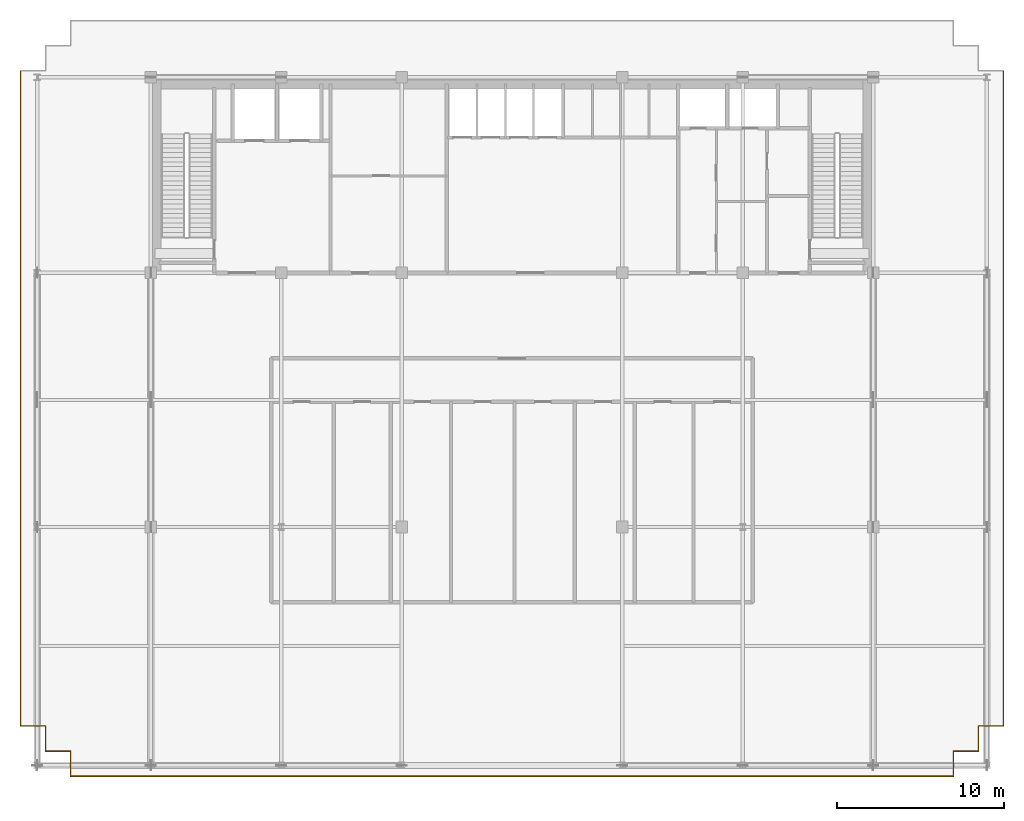
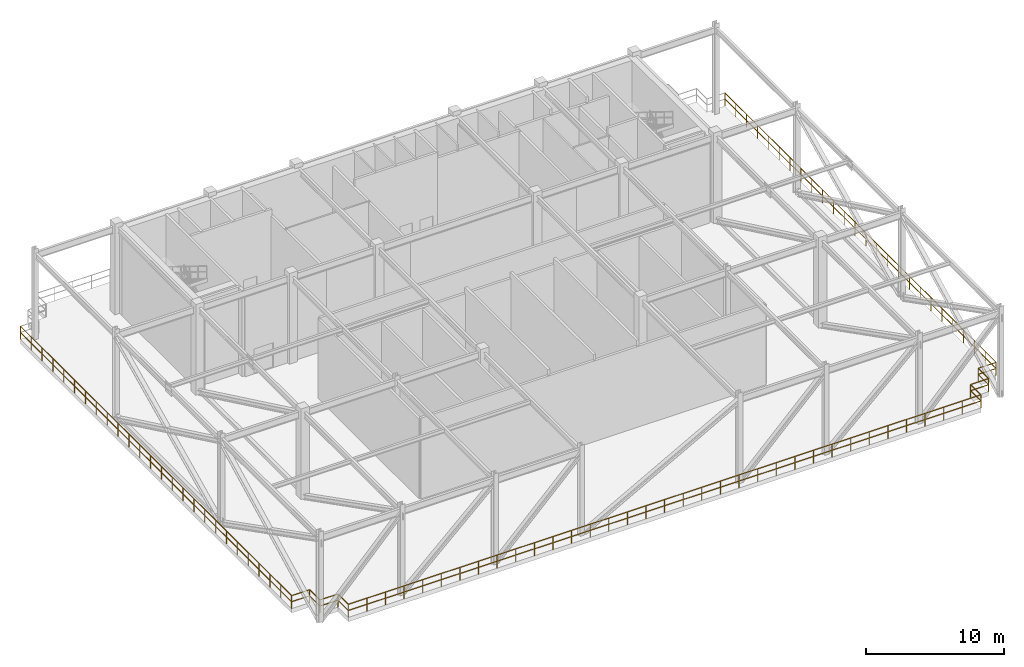
# One storey, part 11 of 14: 11 railings.
"""IFC4 building model written with IfcOpenShell, lengths in metres."""

from ifc_helpers import new_model, si_unit, direction, frame, origin, origin_2d, place, context, subcontext, project, spatial, rectangle, extrude, material, type_object, element, save


model = new_model("IFC4")

# Units and contexts
model_context = context("Model", 3, precision=1e-05, world=origin(), true_north=direction((0.0, 1.0)))
body_context = subcontext(model_context, "Body", "Model", "MODEL_VIEW")
ifc_project = project(units=[si_unit("LENGTHUNIT", "METRE"), si_unit("AREAUNIT", "SQUARE_METRE"), si_unit("VOLUMEUNIT", "CUBIC_METRE"), si_unit("PLANEANGLEUNIT", "RADIAN"), si_unit("MASSUNIT", "GRAM", prefix="KILO")], contexts=[model_context])

# Site, building, storey
site_placement = place(None, origin())
site = spatial("IfcSite", under=ifc_project, at=site_placement, CompositionType="ELEMENT")
building_placement = place(site_placement, origin())
building = spatial("IfcBuilding", under=site, at=building_placement, Name="Trelvane Seafront Commons", CompositionType="ELEMENT")
storey_placement = place(building_placement, frame((0.0, 0.0, 182.5)))
storey = spatial("IfcBuildingStorey", under=building, at=storey_placement, Name="L48", CompositionType="ELEMENT", Elevation=182.5)

# Railings
ifc_material = material(Name="Stainless steel balustrade", Category="steel")
railing_type = type_object("IfcRailingType", Name="ARCH-RAIL-BAL1150", PredefinedType="BALUSTRADE", material=ifc_material)
railing_1_placement = place(storey_placement, frame((10.800048828125, 3.300048828125, 0.0)))
element("IfcRailing", 1, at=railing_1_placement, inside=storey, type_object=railing_type, Name="RL-L48-PERIM-01", PredefinedType="BALUSTRADE", context=body_context, shape_type="SweptSolid", body=[
    extrude(rectangle(XDim=0.048095703125, YDim=0.048095703125, at=origin_2d()), frame((0.0, 0.0, 1.15576171875), z_axis=(1.0, 0.0, 0.0), x_axis=(0.0, 1.0, 0.0)), (0.0, 0.0, 1.0), 52.800048828125),
    extrude(rectangle(XDim=0.048095703125, YDim=0.048095703125, at=origin_2d()), frame((0.0, 0.0, 0.613525390625), z_axis=(1.0, 0.0, 0.0), x_axis=(0.0, 1.0, 0.0)), (0.0, 0.0, 1.0), 52.800048828125),
    extrude(rectangle(XDim=0.0419921875, YDim=0.0419921875, at=origin_2d()), origin(), (0.0, 0.0, 1.0), 1.15576171875),
    extrude(rectangle(XDim=0.0419921875, YDim=0.0419921875, at=origin_2d()), frame((1.552978515625, 0.0, 0.0)), (0.0, 0.0, 1.0), 1.15576171875),
    extrude(rectangle(XDim=0.0419921875, YDim=0.0419921875, at=origin_2d()), frame((3.10595703125, 0.0, 0.0)), (0.0, 0.0, 1.0), 1.15576171875),
    extrude(rectangle(XDim=0.0419921875, YDim=0.0419921875, at=origin_2d()), frame((4.658935546875, 0.0, 0.0)), (0.0, 0.0, 1.0), 1.15576171875),
    extrude(rectangle(XDim=0.0419921875, YDim=0.0419921875, at=origin_2d()), frame((6.211669921875, 0.0, 0.0)), (0.0, 0.0, 1.0), 1.15576171875),
    extrude(rectangle(XDim=0.0419921875, YDim=0.0419921875, at=origin_2d()), frame((7.7646484375, 0.0, 0.0)), (0.0, 0.0, 1.0), 1.15576171875),
    extrude(rectangle(XDim=0.0419921875, YDim=0.0419921875, at=origin_2d()), frame((9.317626953125, 0.0, 0.0)), (0.0, 0.0, 1.0), 1.15576171875),
    extrude(rectangle(XDim=0.0419921875, YDim=0.0419921875, at=origin_2d()), frame((10.87060546875, 0.0, 0.0)), (0.0, 0.0, 1.0), 1.15576171875),
    extrude(rectangle(XDim=0.0419921875, YDim=0.0419921875, at=origin_2d()), frame((12.423583984375, 0.0, 0.0)), (0.0, 0.0, 1.0), 1.15576171875),
    extrude(rectangle(XDim=0.0419921875, YDim=0.0419921875, at=origin_2d()), frame((13.9765625, 0.0, 0.0)), (0.0, 0.0, 1.0), 1.15576171875),
    extrude(rectangle(XDim=0.0419921875, YDim=0.0419921875, at=origin_2d()), frame((15.529541015625, 0.0, 0.0)), (0.0, 0.0, 1.0), 1.15576171875),
    extrude(rectangle(XDim=0.0419921875, YDim=0.0419921875, at=origin_2d()), frame((17.082275390625, 0.0, 0.0)), (0.0, 0.0, 1.0), 1.15576171875),
    extrude(rectangle(XDim=0.0419921875, YDim=0.0419921875, at=origin_2d()), frame((18.63525390625, 0.0, 0.0)), (0.0, 0.0, 1.0), 1.15576171875),
    extrude(rectangle(XDim=0.0419921875, YDim=0.0419921875, at=origin_2d()), frame((20.188232421875, 0.0, 0.0)), (0.0, 0.0, 1.0), 1.15576171875),
    extrude(rectangle(XDim=0.0419921875, YDim=0.0419921875, at=origin_2d()), frame((21.7412109375, 0.0, 0.0)), (0.0, 0.0, 1.0), 1.15576171875),
    extrude(rectangle(XDim=0.0419921875, YDim=0.0419921875, at=origin_2d()), frame((23.294189453125, 0.0, 0.0)), (0.0, 0.0, 1.0), 1.15576171875),
    extrude(rectangle(XDim=0.0419921875, YDim=0.0419921875, at=origin_2d()), frame((24.84716796875, 0.0, 0.0)), (0.0, 0.0, 1.0), 1.15576171875),
    extrude(rectangle(XDim=0.0419921875, YDim=0.0419921875, at=origin_2d()), frame((26.39990234375, 0.0, 0.0)), (0.0, 0.0, 1.0), 1.15576171875),
    extrude(rectangle(XDim=0.0419921875, YDim=0.0419921875, at=origin_2d()), frame((27.952880859375, 0.0, 0.0)), (0.0, 0.0, 1.0), 1.15576171875),
    extrude(rectangle(XDim=0.0419921875, YDim=0.0419921875, at=origin_2d()), frame((29.505859375, 0.0, 0.0)), (0.0, 0.0, 1.0), 1.15576171875),
    extrude(rectangle(XDim=0.0419921875, YDim=0.0419921875, at=origin_2d()), frame((31.058837890625, 0.0, 0.0)), (0.0, 0.0, 1.0), 1.15576171875),
    extrude(rectangle(XDim=0.0419921875, YDim=0.0419921875, at=origin_2d()), frame((32.61181640625, 0.0, 0.0)), (0.0, 0.0, 1.0), 1.15576171875),
    extrude(rectangle(XDim=0.0419921875, YDim=0.0419921875, at=origin_2d()), frame((34.164794921875, 0.0, 0.0)), (0.0, 0.0, 1.0), 1.15576171875),
    extrude(rectangle(XDim=0.0419921875, YDim=0.0419921875, at=origin_2d()), frame((35.7177734375, 0.0, 0.0)), (0.0, 0.0, 1.0), 1.15576171875),
    extrude(rectangle(XDim=0.0419921875, YDim=0.0419921875, at=origin_2d()), frame((37.2705078125, 0.0, 0.0)), (0.0, 0.0, 1.0), 1.15576171875),
    extrude(rectangle(XDim=0.0419921875, YDim=0.0419921875, at=origin_2d()), frame((38.823486328125, 0.0, 0.0)), (0.0, 0.0, 1.0), 1.15576171875),
    extrude(rectangle(XDim=0.0419921875, YDim=0.0419921875, at=origin_2d()), frame((40.37646484375, 0.0, 0.0)), (0.0, 0.0, 1.0), 1.15576171875),
    extrude(rectangle(XDim=0.0419921875, YDim=0.0419921875, at=origin_2d()), frame((41.929443359375, 0.0, 0.0)), (0.0, 0.0, 1.0), 1.15576171875),
    extrude(rectangle(XDim=0.0419921875, YDim=0.0419921875, at=origin_2d()), frame((43.482421875, 0.0, 0.0)), (0.0, 0.0, 1.0), 1.15576171875),
    extrude(rectangle(XDim=0.0419921875, YDim=0.0419921875, at=origin_2d()), frame((45.035400390625, 0.0, 0.0)), (0.0, 0.0, 1.0), 1.15576171875),
    extrude(rectangle(XDim=0.0419921875, YDim=0.0419921875, at=origin_2d()), frame((46.58837890625, 0.0, 0.0)), (0.0, 0.0, 1.0), 1.15576171875),
    extrude(rectangle(XDim=0.0419921875, YDim=0.0419921875, at=origin_2d()), frame((48.14111328125, 0.0, 0.0)), (0.0, 0.0, 1.0), 1.15576171875),
    extrude(rectangle(XDim=0.0419921875, YDim=0.0419921875, at=origin_2d()), frame((49.694091796875, 0.0, 0.0)), (0.0, 0.0, 1.0), 1.15576171875),
    extrude(rectangle(XDim=0.0419921875, YDim=0.0419921875, at=origin_2d()), frame((51.2470703125, 0.0, 0.0)), (0.0, 0.0, 1.0), 1.15576171875),
    extrude(rectangle(XDim=0.0419921875, YDim=0.0419921875, at=origin_2d()), frame((52.800048828125, 0.0, 0.0)), (0.0, 0.0, 1.0), 1.15576171875),
])
railing_2_placement = place(storey_placement, frame((63.60009765625, 3.300048828125, 0.0)))
element("IfcRailing", 2, at=railing_2_placement, inside=storey, type_object=railing_type, Name="RL-L48-PERIM-02", PredefinedType="BALUSTRADE", context=body_context, shape_type="SweptSolid", body=[
    extrude(rectangle(XDim=0.048095703125, YDim=0.048095703125, at=origin_2d()), frame((0.0, 0.0, 1.15576171875), z_axis=(0.0, 1.0, 0.0), x_axis=(-1.0, 0.0, 0.0)), (0.0, 0.0, 1.0), 1.5),
    extrude(rectangle(XDim=0.048095703125, YDim=0.048095703125, at=origin_2d()), frame((0.0, 0.0, 0.613525390625), z_axis=(0.0, 1.0, 0.0), x_axis=(-1.0, 0.0, 0.0)), (0.0, 0.0, 1.0), 1.5),
    extrude(rectangle(XDim=0.0419921875, YDim=0.0419921875, at=origin_2d()), origin(), (0.0, 0.0, 1.0), 1.15576171875),
    extrude(rectangle(XDim=0.0419921875, YDim=0.0419921875, at=origin_2d()), frame((0.0, 1.5, 0.0)), (0.0, 0.0, 1.0), 1.15576171875),
])
railing_3_placement = place(storey_placement, frame((63.60009765625, 4.800048828125, 0.0)))
element("IfcRailing", 3, at=railing_3_placement, inside=storey, type_object=railing_type, Name="RL-L48-PERIM-03", PredefinedType="BALUSTRADE", context=body_context, shape_type="SweptSolid", body=[
    extrude(rectangle(XDim=0.048095703125, YDim=0.048095703125, at=origin_2d()), frame((0.0, 0.0, 1.15576171875), z_axis=(1.0, 0.0, 0.0), x_axis=(0.0, 1.0, 0.0)), (0.0, 0.0, 1.0), 1.5),
    extrude(rectangle(XDim=0.048095703125, YDim=0.048095703125, at=origin_2d()), frame((0.0, 0.0, 0.613525390625), z_axis=(1.0, 0.0, 0.0), x_axis=(0.0, 1.0, 0.0)), (0.0, 0.0, 1.0), 1.5),
    extrude(rectangle(XDim=0.0419921875, YDim=0.0419921875, at=origin_2d()), origin(), (0.0, 0.0, 1.0), 1.15576171875),
    extrude(rectangle(XDim=0.0419921875, YDim=0.0419921875, at=origin_2d()), frame((1.5, 0.0, 0.0)), (0.0, 0.0, 1.0), 1.15576171875),
])
railing_4_placement = place(storey_placement, frame((65.10009765625, 4.800048828125, 0.0)))
element("IfcRailing", 4, at=railing_4_placement, inside=storey, type_object=railing_type, Name="RL-L48-PERIM-04", PredefinedType="BALUSTRADE", context=body_context, shape_type="SweptSolid", body=[
    extrude(rectangle(XDim=0.048095703125, YDim=0.048095703125, at=origin_2d()), frame((0.0, 0.0, 1.15576171875), z_axis=(0.0, 1.0, 0.0), x_axis=(-1.0, 0.0, 0.0)), (0.0, 0.0, 1.0), 1.5),
    extrude(rectangle(XDim=0.048095703125, YDim=0.048095703125, at=origin_2d()), frame((0.0, 0.0, 0.613525390625), z_axis=(0.0, 1.0, 0.0), x_axis=(-1.0, 0.0, 0.0)), (0.0, 0.0, 1.0), 1.5),
    extrude(rectangle(XDim=0.0419921875, YDim=0.0419921875, at=origin_2d()), origin(), (0.0, 0.0, 1.0), 1.15576171875),
    extrude(rectangle(XDim=0.0419921875, YDim=0.0419921875, at=origin_2d()), frame((0.0, 1.5, 0.0)), (0.0, 0.0, 1.0), 1.15576171875),
])
railing_5_placement = place(storey_placement, frame((65.10009765625, 6.300048828125, 0.0)))
element("IfcRailing", 5, at=railing_5_placement, inside=storey, type_object=railing_type, Name="RL-L48-PERIM-05", PredefinedType="BALUSTRADE", context=body_context, shape_type="SweptSolid", body=[
    extrude(rectangle(XDim=0.048095703125, YDim=0.048095703125, at=origin_2d()), frame((0.0, 0.0, 1.15576171875), z_axis=(1.0, 0.0, 0.0), x_axis=(0.0, 1.0, 0.0)), (0.0, 0.0, 1.0), 1.5),
    extrude(rectangle(XDim=0.048095703125, YDim=0.048095703125, at=origin_2d()), frame((0.0, 0.0, 0.613525390625), z_axis=(1.0, 0.0, 0.0), x_axis=(0.0, 1.0, 0.0)), (0.0, 0.0, 1.0), 1.5),
    extrude(rectangle(XDim=0.0419921875, YDim=0.0419921875, at=origin_2d()), origin(), (0.0, 0.0, 1.0), 1.15576171875),
    extrude(rectangle(XDim=0.0419921875, YDim=0.0419921875, at=origin_2d()), frame((1.5, 0.0, 0.0)), (0.0, 0.0, 1.0), 1.15576171875),
])
railing_6_placement = place(storey_placement, frame((66.60009765625, 6.300048828125, 0.0)))
element("IfcRailing", 6, at=railing_6_placement, inside=storey, type_object=railing_type, Name="RL-L48-PERIM-06", PredefinedType="BALUSTRADE", context=body_context, shape_type="SweptSolid", body=[
    extrude(rectangle(XDim=0.048095703125, YDim=0.048095703125, at=origin_2d()), frame((0.0, 0.0, 1.15576171875), z_axis=(0.0, 1.0, 0.0), x_axis=(-1.0, 0.0, 0.0)), (0.0, 0.0, 1.0), 39.199951171875),
    extrude(rectangle(XDim=0.048095703125, YDim=0.048095703125, at=origin_2d()), frame((0.0, 0.0, 0.613525390625), z_axis=(0.0, 1.0, 0.0), x_axis=(-1.0, 0.0, 0.0)), (0.0, 0.0, 1.0), 39.199951171875),
    extrude(rectangle(XDim=0.0419921875, YDim=0.0419921875, at=origin_2d()), origin(), (0.0, 0.0, 1.0), 1.15576171875),
    extrude(rectangle(XDim=0.0419921875, YDim=0.0419921875, at=origin_2d()), frame((0.0, 1.568115234375, 0.0)), (0.0, 0.0, 1.0), 1.15576171875),
    extrude(rectangle(XDim=0.0419921875, YDim=0.0419921875, at=origin_2d()), frame((0.0, 3.135986328125, 0.0)), (0.0, 0.0, 1.0), 1.15576171875),
    extrude(rectangle(XDim=0.0419921875, YDim=0.0419921875, at=origin_2d()), frame((0.0, 4.7041015625, 0.0)), (0.0, 0.0, 1.0), 1.15576171875),
    extrude(rectangle(XDim=0.0419921875, YDim=0.0419921875, at=origin_2d()), frame((0.0, 6.27197265625, 0.0)), (0.0, 0.0, 1.0), 1.15576171875),
    extrude(rectangle(XDim=0.0419921875, YDim=0.0419921875, at=origin_2d()), frame((0.0, 7.840087890625, 0.0)), (0.0, 0.0, 1.0), 1.15576171875),
    extrude(rectangle(XDim=0.0419921875, YDim=0.0419921875, at=origin_2d()), frame((0.0, 9.407958984375, 0.0)), (0.0, 0.0, 1.0), 1.15576171875),
    extrude(rectangle(XDim=0.0419921875, YDim=0.0419921875, at=origin_2d()), frame((0.0, 10.97607421875, 0.0)), (0.0, 0.0, 1.0), 1.15576171875),
    extrude(rectangle(XDim=0.0419921875, YDim=0.0419921875, at=origin_2d()), frame((0.0, 12.5439453125, 0.0)), (0.0, 0.0, 1.0), 1.15576171875),
    extrude(rectangle(XDim=0.0419921875, YDim=0.0419921875, at=origin_2d()), frame((0.0, 14.112060546875, 0.0)), (0.0, 0.0, 1.0), 1.15576171875),
    extrude(rectangle(XDim=0.0419921875, YDim=0.0419921875, at=origin_2d()), frame((0.0, 15.679931640625, 0.0)), (0.0, 0.0, 1.0), 1.15576171875),
    extrude(rectangle(XDim=0.0419921875, YDim=0.0419921875, at=origin_2d()), frame((0.0, 17.248046875, 0.0)), (0.0, 0.0, 1.0), 1.15576171875),
    extrude(rectangle(XDim=0.0419921875, YDim=0.0419921875, at=origin_2d()), frame((0.0, 18.81591796875, 0.0)), (0.0, 0.0, 1.0), 1.15576171875),
    extrude(rectangle(XDim=0.0419921875, YDim=0.0419921875, at=origin_2d()), frame((0.0, 20.384033203125, 0.0)), (0.0, 0.0, 1.0), 1.15576171875),
    extrude(rectangle(XDim=0.0419921875, YDim=0.0419921875, at=origin_2d()), frame((0.0, 21.951904296875, 0.0)), (0.0, 0.0, 1.0), 1.15576171875),
    extrude(rectangle(XDim=0.0419921875, YDim=0.0419921875, at=origin_2d()), frame((0.0, 23.52001953125, 0.0)), (0.0, 0.0, 1.0), 1.15576171875),
    extrude(rectangle(XDim=0.0419921875, YDim=0.0419921875, at=origin_2d()), frame((0.0, 25.087890625, 0.0)), (0.0, 0.0, 1.0), 1.15576171875),
    extrude(rectangle(XDim=0.0419921875, YDim=0.0419921875, at=origin_2d()), frame((0.0, 26.656005859375, 0.0)), (0.0, 0.0, 1.0), 1.15576171875),
    extrude(rectangle(XDim=0.0419921875, YDim=0.0419921875, at=origin_2d()), frame((0.0, 28.223876953125, 0.0)), (0.0, 0.0, 1.0), 1.15576171875),
    extrude(rectangle(XDim=0.0419921875, YDim=0.0419921875, at=origin_2d()), frame((0.0, 29.7919921875, 0.0)), (0.0, 0.0, 1.0), 1.15576171875),
    extrude(rectangle(XDim=0.0419921875, YDim=0.0419921875, at=origin_2d()), frame((0.0, 31.35986328125, 0.0)), (0.0, 0.0, 1.0), 1.15576171875),
    extrude(rectangle(XDim=0.0419921875, YDim=0.0419921875, at=origin_2d()), frame((0.0, 32.927978515625, 0.0)), (0.0, 0.0, 1.0), 1.15576171875),
    extrude(rectangle(XDim=0.0419921875, YDim=0.0419921875, at=origin_2d()), frame((0.0, 34.495849609375, 0.0)), (0.0, 0.0, 1.0), 1.15576171875),
    extrude(rectangle(XDim=0.0419921875, YDim=0.0419921875, at=origin_2d()), frame((0.0, 36.06396484375, 0.0)), (0.0, 0.0, 1.0), 1.15576171875),
    extrude(rectangle(XDim=0.0419921875, YDim=0.0419921875, at=origin_2d()), frame((0.0, 37.6318359375, 0.0)), (0.0, 0.0, 1.0), 1.15576171875),
    extrude(rectangle(XDim=0.0419921875, YDim=0.0419921875, at=origin_2d()), frame((0.0, 39.199951171875, 0.0)), (0.0, 0.0, 1.0), 1.15576171875),
])
railing_7_placement = place(storey_placement, frame((7.800048828125, 45.5, 0.0)))
element("IfcRailing", 7, at=railing_7_placement, inside=storey, type_object=railing_type, Name="RL-L48-PERIM-16", PredefinedType="BALUSTRADE", context=body_context, shape_type="SweptSolid", body=[
    extrude(rectangle(XDim=0.048095703125, YDim=0.048095703125, at=origin_2d()), frame((0.0, 0.0, 1.15576171875), z_axis=(0.0, -1.0, 0.0), x_axis=(1.0, 0.0, 0.0)), (0.0, 0.0, 1.0), 39.199951171875),
    extrude(rectangle(XDim=0.048095703125, YDim=0.048095703125, at=origin_2d()), frame((0.0, 0.0, 0.613525390625), z_axis=(0.0, -1.0, 0.0), x_axis=(1.0, 0.0, 0.0)), (0.0, 0.0, 1.0), 39.199951171875),
    extrude(rectangle(XDim=0.0419921875, YDim=0.0419921875, at=origin_2d()), origin(), (0.0, 0.0, 1.0), 1.15576171875),
    extrude(rectangle(XDim=0.0419921875, YDim=0.0419921875, at=origin_2d()), frame((0.0, -1.568115234375, 0.0)), (0.0, 0.0, 1.0), 1.15576171875),
    extrude(rectangle(XDim=0.0419921875, YDim=0.0419921875, at=origin_2d()), frame((0.0, -3.135986328125, 0.0)), (0.0, 0.0, 1.0), 1.15576171875),
    extrude(rectangle(XDim=0.0419921875, YDim=0.0419921875, at=origin_2d()), frame((0.0, -4.7041015625, 0.0)), (0.0, 0.0, 1.0), 1.15576171875),
    extrude(rectangle(XDim=0.0419921875, YDim=0.0419921875, at=origin_2d()), frame((0.0, -6.27197265625, 0.0)), (0.0, 0.0, 1.0), 1.15576171875),
    extrude(rectangle(XDim=0.0419921875, YDim=0.0419921875, at=origin_2d()), frame((0.0, -7.840087890625, 0.0)), (0.0, 0.0, 1.0), 1.15576171875),
    extrude(rectangle(XDim=0.0419921875, YDim=0.0419921875, at=origin_2d()), frame((0.0, -9.407958984375, 0.0)), (0.0, 0.0, 1.0), 1.15576171875),
    extrude(rectangle(XDim=0.0419921875, YDim=0.0419921875, at=origin_2d()), frame((0.0, -10.97607421875, 0.0)), (0.0, 0.0, 1.0), 1.15576171875),
    extrude(rectangle(XDim=0.0419921875, YDim=0.0419921875, at=origin_2d()), frame((0.0, -12.5439453125, 0.0)), (0.0, 0.0, 1.0), 1.15576171875),
    extrude(rectangle(XDim=0.0419921875, YDim=0.0419921875, at=origin_2d()), frame((0.0, -14.112060546875, 0.0)), (0.0, 0.0, 1.0), 1.15576171875),
    extrude(rectangle(XDim=0.0419921875, YDim=0.0419921875, at=origin_2d()), frame((0.0, -15.679931640625, 0.0)), (0.0, 0.0, 1.0), 1.15576171875),
    extrude(rectangle(XDim=0.0419921875, YDim=0.0419921875, at=origin_2d()), frame((0.0, -17.248046875, 0.0)), (0.0, 0.0, 1.0), 1.15576171875),
    extrude(rectangle(XDim=0.0419921875, YDim=0.0419921875, at=origin_2d()), frame((0.0, -18.81591796875, 0.0)), (0.0, 0.0, 1.0), 1.15576171875),
    extrude(rectangle(XDim=0.0419921875, YDim=0.0419921875, at=origin_2d()), frame((0.0, -20.384033203125, 0.0)), (0.0, 0.0, 1.0), 1.15576171875),
    extrude(rectangle(XDim=0.0419921875, YDim=0.0419921875, at=origin_2d()), frame((0.0, -21.951904296875, 0.0)), (0.0, 0.0, 1.0), 1.15576171875),
    extrude(rectangle(XDim=0.0419921875, YDim=0.0419921875, at=origin_2d()), frame((0.0, -23.52001953125, 0.0)), (0.0, 0.0, 1.0), 1.15576171875),
    extrude(rectangle(XDim=0.0419921875, YDim=0.0419921875, at=origin_2d()), frame((0.0, -25.087890625, 0.0)), (0.0, 0.0, 1.0), 1.15576171875),
    extrude(rectangle(XDim=0.0419921875, YDim=0.0419921875, at=origin_2d()), frame((0.0, -26.656005859375, 0.0)), (0.0, 0.0, 1.0), 1.15576171875),
    extrude(rectangle(XDim=0.0419921875, YDim=0.0419921875, at=origin_2d()), frame((0.0, -28.223876953125, 0.0)), (0.0, 0.0, 1.0), 1.15576171875),
    extrude(rectangle(XDim=0.0419921875, YDim=0.0419921875, at=origin_2d()), frame((0.0, -29.7919921875, 0.0)), (0.0, 0.0, 1.0), 1.15576171875),
    extrude(rectangle(XDim=0.0419921875, YDim=0.0419921875, at=origin_2d()), frame((0.0, -31.35986328125, 0.0)), (0.0, 0.0, 1.0), 1.15576171875),
    extrude(rectangle(XDim=0.0419921875, YDim=0.0419921875, at=origin_2d()), frame((0.0, -32.927978515625, 0.0)), (0.0, 0.0, 1.0), 1.15576171875),
    extrude(rectangle(XDim=0.0419921875, YDim=0.0419921875, at=origin_2d()), frame((0.0, -34.495849609375, 0.0)), (0.0, 0.0, 1.0), 1.15576171875),
    extrude(rectangle(XDim=0.0419921875, YDim=0.0419921875, at=origin_2d()), frame((0.0, -36.06396484375, 0.0)), (0.0, 0.0, 1.0), 1.15576171875),
    extrude(rectangle(XDim=0.0419921875, YDim=0.0419921875, at=origin_2d()), frame((0.0, -37.6318359375, 0.0)), (0.0, 0.0, 1.0), 1.15576171875),
    extrude(rectangle(XDim=0.0419921875, YDim=0.0419921875, at=origin_2d()), frame((0.0, -39.199951171875, 0.0)), (0.0, 0.0, 1.0), 1.15576171875),
])
railing_8_placement = place(storey_placement, frame((7.800048828125, 6.300048828125, 0.0)))
element("IfcRailing", 8, at=railing_8_placement, inside=storey, type_object=railing_type, Name="RL-L48-PERIM-17", PredefinedType="BALUSTRADE", context=body_context, shape_type="SweptSolid", body=[
    extrude(rectangle(XDim=0.048095703125, YDim=0.048095703125, at=origin_2d()), frame((0.0, 0.0, 1.15576171875), z_axis=(1.0, 0.0, 0.0), x_axis=(0.0, 1.0, 0.0)), (0.0, 0.0, 1.0), 1.5),
    extrude(rectangle(XDim=0.048095703125, YDim=0.048095703125, at=origin_2d()), frame((0.0, 0.0, 0.613525390625), z_axis=(1.0, 0.0, 0.0), x_axis=(0.0, 1.0, 0.0)), (0.0, 0.0, 1.0), 1.5),
    extrude(rectangle(XDim=0.0419921875, YDim=0.0419921875, at=origin_2d()), origin(), (0.0, 0.0, 1.0), 1.15576171875),
    extrude(rectangle(XDim=0.0419921875, YDim=0.0419921875, at=origin_2d()), frame((1.5, 0.0, 0.0)), (0.0, 0.0, 1.0), 1.15576171875),
])
railing_9_placement = place(storey_placement, frame((9.300048828125, 6.300048828125, 0.0)))
element("IfcRailing", 9, at=railing_9_placement, inside=storey, type_object=railing_type, Name="RL-L48-PERIM-18", PredefinedType="BALUSTRADE", context=body_context, shape_type="SweptSolid", body=[
    extrude(rectangle(XDim=0.048095703125, YDim=0.048095703125, at=origin_2d()), frame((0.0, 0.0, 1.15576171875), z_axis=(0.0, -1.0, 0.0), x_axis=(1.0, 0.0, 0.0)), (0.0, 0.0, 1.0), 1.5),
    extrude(rectangle(XDim=0.048095703125, YDim=0.048095703125, at=origin_2d()), frame((0.0, 0.0, 0.613525390625), z_axis=(0.0, -1.0, 0.0), x_axis=(1.0, 0.0, 0.0)), (0.0, 0.0, 1.0), 1.5),
    extrude(rectangle(XDim=0.0419921875, YDim=0.0419921875, at=origin_2d()), origin(), (0.0, 0.0, 1.0), 1.15576171875),
    extrude(rectangle(XDim=0.0419921875, YDim=0.0419921875, at=origin_2d()), frame((0.0, -1.5, 0.0)), (0.0, 0.0, 1.0), 1.15576171875),
])
railing_10_placement = place(storey_placement, frame((9.300048828125, 4.800048828125, 0.0)))
element("IfcRailing", 10, at=railing_10_placement, inside=storey, type_object=railing_type, Name="RL-L48-PERIM-19", PredefinedType="BALUSTRADE", context=body_context, shape_type="SweptSolid", body=[
    extrude(rectangle(XDim=0.048095703125, YDim=0.048095703125, at=origin_2d()), frame((0.0, 0.0, 1.15576171875), z_axis=(1.0, 0.0, 0.0), x_axis=(0.0, 1.0, 0.0)), (0.0, 0.0, 1.0), 1.5),
    extrude(rectangle(XDim=0.048095703125, YDim=0.048095703125, at=origin_2d()), frame((0.0, 0.0, 0.613525390625), z_axis=(1.0, 0.0, 0.0), x_axis=(0.0, 1.0, 0.0)), (0.0, 0.0, 1.0), 1.5),
    extrude(rectangle(XDim=0.0419921875, YDim=0.0419921875, at=origin_2d()), origin(), (0.0, 0.0, 1.0), 1.15576171875),
    extrude(rectangle(XDim=0.0419921875, YDim=0.0419921875, at=origin_2d()), frame((1.5, 0.0, 0.0)), (0.0, 0.0, 1.0), 1.15576171875),
])
railing_11_placement = place(storey_placement, frame((10.800048828125, 4.800048828125, 0.0)))
element("IfcRailing", 11, at=railing_11_placement, inside=storey, type_object=railing_type, Name="RL-L48-PERIM-20", PredefinedType="BALUSTRADE", context=body_context, shape_type="SweptSolid", body=[
    extrude(rectangle(XDim=0.048095703125, YDim=0.048095703125, at=origin_2d()), frame((0.0, 0.0, 1.15576171875), z_axis=(0.0, -1.0, 0.0), x_axis=(1.0, 0.0, 0.0)), (0.0, 0.0, 1.0), 1.5),
    extrude(rectangle(XDim=0.048095703125, YDim=0.048095703125, at=origin_2d()), frame((0.0, 0.0, 0.613525390625), z_axis=(0.0, -1.0, 0.0), x_axis=(1.0, 0.0, 0.0)), (0.0, 0.0, 1.0), 1.5),
    extrude(rectangle(XDim=0.0419921875, YDim=0.0419921875, at=origin_2d()), origin(), (0.0, 0.0, 1.0), 1.15576171875),
    extrude(rectangle(XDim=0.0419921875, YDim=0.0419921875, at=origin_2d()), frame((0.0, -1.5, 0.0)), (0.0, 0.0, 1.0), 1.15576171875),
])

save(model, "model.ifc")
